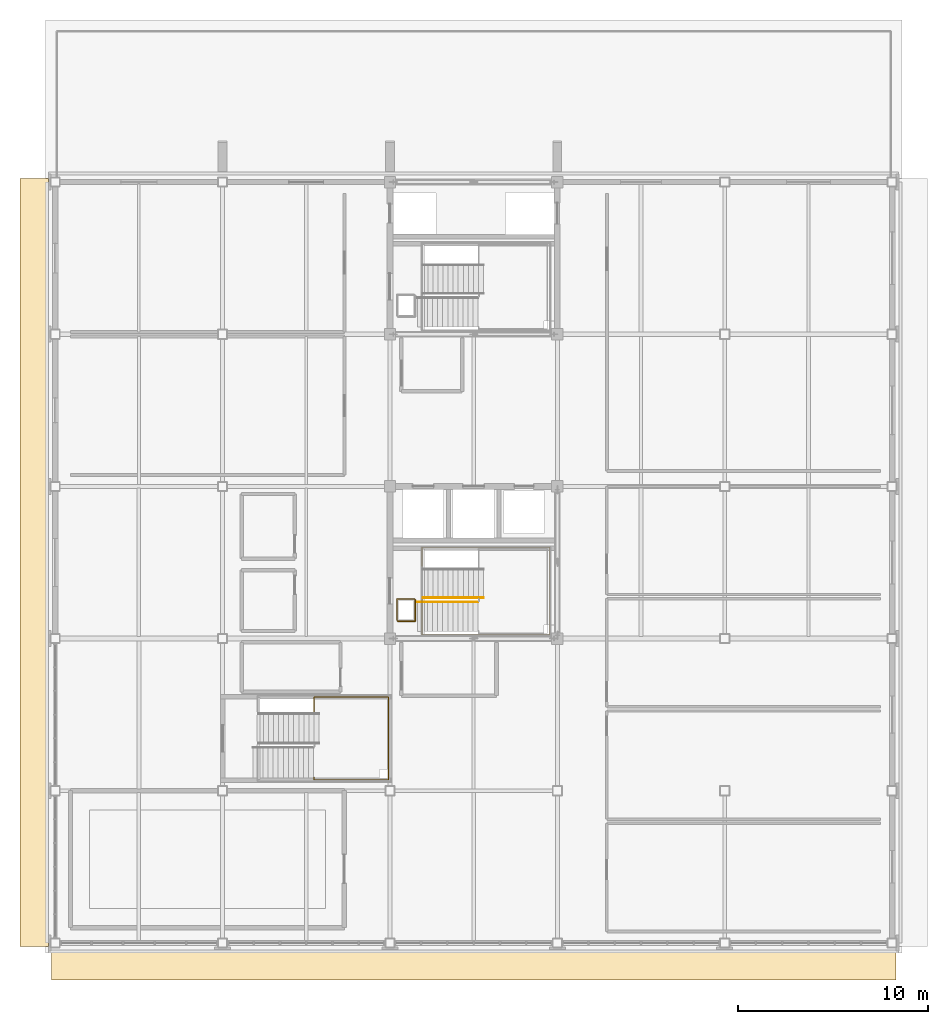
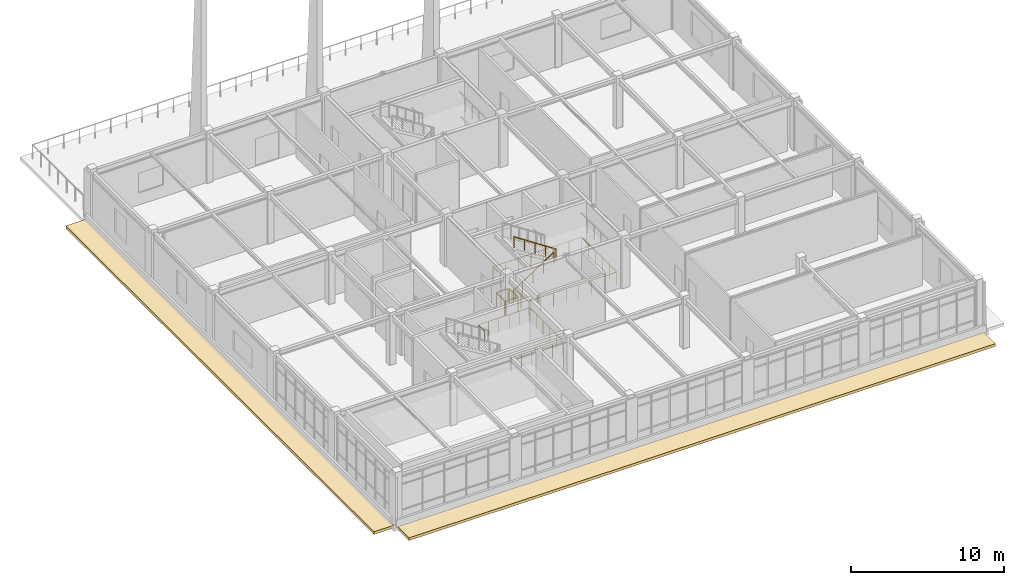
# One storey, part 18 of 22: 6 railings, 2 coverings.
"""IFC4 building model written with IfcOpenShell, lengths in metres."""

from ifc_helpers import new_model, si_unit, direction, frame, origin, origin_2d, place, context, subcontext, project, spatial, rectangle, circle, extrude, material, layer, layer_set, type_object, element, save


model = new_model("IFC4")

# Units and contexts
model_context = context("Model", 3, precision=1e-05, world=origin(), true_north=direction((0.0, 1.0)))
body_context = subcontext(model_context, "Body", "Model", "MODEL_VIEW")
ifc_project = project(units=[si_unit("LENGTHUNIT", "METRE"), si_unit("AREAUNIT", "SQUARE_METRE"), si_unit("VOLUMEUNIT", "CUBIC_METRE"), si_unit("PLANEANGLEUNIT", "RADIAN"), si_unit("MASSUNIT", "GRAM", prefix="KILO")], contexts=[model_context])

# Site, building, storey
site_placement = place(None, origin())
site = spatial("IfcSite", under=ifc_project, at=site_placement, CompositionType="ELEMENT")
building_placement = place(site_placement, origin())
building = spatial("IfcBuilding", under=site, at=building_placement, Name="Zhaolan Boulevard Law Courts", CompositionType="ELEMENT")
storey_placement = place(building_placement, frame((0.0, 0.0, 28.800048828125)))
storey = spatial("IfcBuildingStorey", under=building, at=storey_placement, Name="L06", CompositionType="ELEMENT", Elevation=28.800048828125)

# Coverings
ifc_material_1 = material(Name="Fair-faced architectural concrete C40", Category="concrete")
ifc_layer = layer(ifc_material_1, 0.219970703125)
ifc_layer_set = layer_set([ifc_layer])
covering_type = type_object("IfcCoveringType", Name="CONCRETE STORMHOOD 220", PredefinedType="CLADDING", material=ifc_layer_set)
covering_1_placement = place(storey_placement, frame((-1.10009765625, 50.0, -0.22021484375), z_axis=(0.0, 0.0, 1.0), x_axis=(1.0, 0.0, 0.0)))
element("IfcCovering", 1, at=covering_1_placement, inside=storey, type_object=covering_type, Name="Sculpted Concrete Typhoon Stormhood CSH-03", PredefinedType="CLADDING", context=body_context, shape_type="SweptSolid", body=[
    extrude(rectangle(XDim=1.5, YDim=40.39990234375, at=origin_2d()), origin(), (0.0, 0.0, 1.0), 0.219970703125),
])
covering_2_placement = place(storey_placement, frame((22.0, 28.800048828125, -0.22021484375), z_axis=(0.0, 0.0, 1.0), x_axis=(1.0, 0.0, 0.0)))
element("IfcCovering", 2, at=covering_2_placement, inside=storey, type_object=covering_type, Name="Sculpted Concrete Typhoon Stormhood CSH-06", PredefinedType="CLADDING", context=body_context, shape_type="SweptSolid", body=[
    extrude(rectangle(XDim=44.39990234375, YDim=1.5, at=origin_2d()), origin(), (0.0, 0.0, 1.0), 0.219970703125),
])

# Railings
ifc_material_2 = material(Name="Powder-coated steel and tempered laminated glass", Category="steel")
railing_type_1 = type_object("IfcRailingType", Name="INTERIOR GUARDRAIL 1150", PredefinedType="GUARDRAIL", material=ifc_material_2)
railing_1_placement = place(storey_placement, frame((18.010009765625, 46.919921875, 0.0)))
element("IfcRailing", 3, at=railing_1_placement, inside=storey, type_object=railing_type_1, Name="Atrium Gallery Guardrail VG-6-V5-9A", PredefinedType="GUARDRAIL", context=body_context, shape_type="SweptSolid", body=[
    extrude(circle(Radius=0.02490234375, at=origin_2d()), frame((0.0, 0.0, 1.125), z_axis=(1.0, 0.0, 0.0), x_axis=(0.0, 1.0, 0.0)), (0.0, 0.0, 1.0), 0.919921875),
    extrude(circle(Radius=0.02490234375, at=origin_2d()), frame((0.919921875, 0.0, 1.125), z_axis=(0.0, 1.0, 0.0), x_axis=(-1.0, 0.0, 0.0)), (0.0, 0.0, 1.0), 1.1201171875),
    extrude(circle(Radius=0.02099609375, at=origin_2d()), origin(), (0.0, 0.0, 1.0), 1.099853515625),
    extrude(circle(Radius=0.02099609375, at=origin_2d()), frame((0.919921875, 0.0, 0.0)), (0.0, 0.0, 1.0), 1.099853515625),
    extrude(circle(Radius=0.02099609375, at=origin_2d()), frame((0.919921875, 1.1201171875, 0.0)), (0.0, 0.0, 1.0), 1.099853515625),
])
railing_2_placement = place(storey_placement, frame((18.8701171875, 48.080078125, 0.0)))
element("IfcRailing", 4, at=railing_2_placement, inside=storey, type_object=railing_type_1, Name="Atrium Gallery Guardrail VG-6-V5-9B", PredefinedType="GUARDRAIL", context=body_context, shape_type="SweptSolid", body=[
    extrude(circle(Radius=0.02490234375, at=origin_2d()), frame((0.0, 0.0, 1.125), z_axis=(-1.0, 0.0, 0.0), x_axis=(0.0, -1.0, 0.0)), (0.0, 0.0, 1.0), 0.900146484375),
    extrude(circle(Radius=0.02490234375, at=origin_2d()), frame((-0.900146484375, 0.0, 1.125), z_axis=(0.0, -1.0, 0.0), x_axis=(1.0, 0.0, 0.0)), (0.0, 0.0, 1.0), 1.10009765625),
    extrude(circle(Radius=0.02099609375, at=origin_2d()), origin(), (0.0, 0.0, 1.0), 1.099853515625),
    extrude(circle(Radius=0.02099609375, at=origin_2d()), frame((-0.900146484375, 0.0, 0.0)), (0.0, 0.0, 1.0), 1.099853515625),
    extrude(circle(Radius=0.02099609375, at=origin_2d()), frame((-0.900146484375, -1.10009765625, 0.0)), (0.0, 0.0, 1.0), 1.099853515625),
])
ifc_material_3 = material(Name="Brushed stainless steel tubular handrail", Category="steel")
railing_type_2 = type_object("IfcRailingType", Name="STAIR HANDRAIL 900", PredefinedType="HANDRAIL", material=ifc_material_3)
railing_3_placement = place(storey_placement, frame((19.050048828125, 47.919921875, 0.0)))
element("IfcRailing", 5, at=railing_3_placement, inside=storey, type_object=railing_type_2, Name="Stair Handrail HR-ST01-L06-1", PredefinedType="HANDRAIL", context=body_context, shape_type="SweptSolid", body=[
    extrude(circle(Radius=0.0224609375, at=origin_2d()), frame((0.0, 0.0, 0.87744140625), z_axis=(0.834476838559, 0.0, 0.551043016387), x_axis=(0.0, 1.0, 0.0)), (0.0, 0.0, 1.0), 3.810791015625),
    extrude(circle(Radius=0.01904296875, at=origin_2d()), origin(), (0.0, 0.0, 1.0), 0.85498046875),
    extrude(circle(Radius=0.01904296875, at=origin_2d()), frame((0.794921875, 0.0, 0.52490234375)), (0.0, 0.0, 1.0), 0.85498046875),
    extrude(circle(Radius=0.01904296875, at=origin_2d()), frame((1.58984375, 0.0, 1.0498046875)), (0.0, 0.0, 1.0), 0.85498046875),
    extrude(circle(Radius=0.01904296875, at=origin_2d()), frame((2.385009765625, 0.0, 1.574951171875)), (0.0, 0.0, 1.0), 0.85498046875),
    extrude(circle(Radius=0.01904296875, at=origin_2d()), frame((3.179931640625, 0.0, 2.099853515625)), (0.0, 0.0, 1.0), 0.85498046875),
])
railing_4_placement = place(storey_placement, frame((22.514892578125, 48.139892578125, 2.099853515625)))
element("IfcRailing", 6, at=railing_4_placement, inside=storey, type_object=railing_type_2, Name="Stair Handrail HR-ST01-L06-2", PredefinedType="HANDRAIL", context=body_context, shape_type="SweptSolid", body=[
    extrude(circle(Radius=0.0224609375, at=origin_2d()), frame((0.0, 0.0, 0.87744140625), z_axis=(-0.834447378162, 0.0, 0.551087627405), x_axis=(0.0, -1.0, 0.0)), (0.0, 0.0, 1.0), 3.810791015625),
    extrude(circle(Radius=0.01904296875, at=origin_2d()), origin(), (0.0, 0.0, 1.0), 0.85498046875),
    extrude(circle(Radius=0.01904296875, at=origin_2d()), frame((-0.794921875, 0.0, 0.52490234375)), (0.0, 0.0, 1.0), 0.85498046875),
    extrude(circle(Radius=0.01904296875, at=origin_2d()), frame((-1.58984375, 0.0, 1.050048828125)), (0.0, 0.0, 1.0), 0.85498046875),
    extrude(circle(Radius=0.01904296875, at=origin_2d()), frame((-2.385009765625, 0.0, 1.5751953125)), (0.0, 0.0, 1.0), 0.85498046875),
    extrude(circle(Radius=0.01904296875, at=origin_2d()), frame((-3.179931640625, 0.0, 2.10009765625)), (0.0, 0.0, 1.0), 0.85498046875),
])
ifc_material_4 = material(Name="Powder-coated steel baluster guardrail", Category="steel")
railing_type_3 = type_object("IfcRailingType", Name="STAIR WELL GUARDRAIL 1120", PredefinedType="GUARDRAIL", material=ifc_material_4)
railing_5_placement = place(storey_placement, frame((19.2900390625, 48.050048828125, 0.0)))
element("IfcRailing", 7, at=railing_5_placement, inside=storey, type_object=railing_type_3, Name="Stair-Well Floor Guardrail WG-ST01-L05", PredefinedType="GUARDRAIL", context=body_context, shape_type="SweptSolid", body=[
    extrude(circle(Radius=0.02392578125, at=origin_2d()), frame((0.0, 0.0, 1.09619140625), z_axis=(0.0, -1.0, 0.0), x_axis=(1.0, 0.0, 0.0)), (0.0, 0.0, 1.0), 1.85009765625),
    extrude(circle(Radius=0.02392578125, at=origin_2d()), frame((0.0, -1.85009765625, 1.09619140625), z_axis=(1.0, 0.0, 0.0), x_axis=(0.0, 1.0, 0.0)), (0.0, 0.0, 1.0), 6.7099609375),
    extrude(circle(Radius=0.02392578125, at=origin_2d()), frame((6.7099609375, -1.85009765625, 1.09619140625), z_axis=(0.0, 1.0, 0.0), x_axis=(-1.0, 0.0, 0.0)), (0.0, 0.0, 1.0), 4.60009765625),
    extrude(circle(Radius=0.02392578125, at=origin_2d()), frame((6.7099609375, 2.75, 1.09619140625), z_axis=(-1.0, 0.0, 0.0), x_axis=(0.0, -1.0, 0.0)), (0.0, 0.0, 1.0), 6.7099609375),
    extrude(circle(Radius=0.02392578125, at=origin_2d()), frame((0.0, 2.75, 1.09619140625), z_axis=(0.0, -1.0, 0.0), x_axis=(1.0, 0.0, 0.0)), (0.0, 0.0, 1.0), 1.0),
    extrude(circle(Radius=0.02099609375, at=origin_2d()), origin(), (0.0, 0.0, 1.0), 1.072021484375),
    extrude(circle(Radius=0.02099609375, at=origin_2d()), frame((0.0, -0.925048828125, 0.0)), (0.0, 0.0, 1.0), 1.072021484375),
    extrude(circle(Radius=0.02099609375, at=origin_2d()), frame((0.0, -1.85009765625, 0.0)), (0.0, 0.0, 1.0), 1.072021484375),
    extrude(circle(Radius=0.02099609375, at=origin_2d()), frame((0.95849609375, -1.85009765625, 0.0)), (0.0, 0.0, 1.0), 1.072021484375),
    extrude(circle(Radius=0.02099609375, at=origin_2d()), frame((1.917236328125, -1.85009765625, 0.0)), (0.0, 0.0, 1.0), 1.072021484375),
    extrude(circle(Radius=0.02099609375, at=origin_2d()), frame((2.875732421875, -1.85009765625, 0.0)), (0.0, 0.0, 1.0), 1.072021484375),
    extrude(circle(Radius=0.02099609375, at=origin_2d()), frame((3.834228515625, -1.85009765625, 0.0)), (0.0, 0.0, 1.0), 1.072021484375),
    extrude(circle(Radius=0.02099609375, at=origin_2d()), frame((4.792724609375, -1.85009765625, 0.0)), (0.0, 0.0, 1.0), 1.072021484375),
    extrude(circle(Radius=0.02099609375, at=origin_2d()), frame((5.75146484375, -1.85009765625, 0.0)), (0.0, 0.0, 1.0), 1.072021484375),
    extrude(circle(Radius=0.02099609375, at=origin_2d()), frame((6.7099609375, -1.85009765625, 0.0)), (0.0, 0.0, 1.0), 1.072021484375),
    extrude(circle(Radius=0.02099609375, at=origin_2d()), frame((6.7099609375, -0.93017578125, 0.0)), (0.0, 0.0, 1.0), 1.072021484375),
    extrude(circle(Radius=0.02099609375, at=origin_2d()), frame((6.7099609375, -0.010009765625, 0.0)), (0.0, 0.0, 1.0), 1.072021484375),
    extrude(circle(Radius=0.02099609375, at=origin_2d()), frame((6.7099609375, 0.909912109375, 0.0)), (0.0, 0.0, 1.0), 1.072021484375),
    extrude(circle(Radius=0.02099609375, at=origin_2d()), frame((6.7099609375, 1.830078125, 0.0)), (0.0, 0.0, 1.0), 1.072021484375),
    extrude(circle(Radius=0.02099609375, at=origin_2d()), frame((6.7099609375, 2.75, 0.0)), (0.0, 0.0, 1.0), 1.072021484375),
    extrude(circle(Radius=0.02099609375, at=origin_2d()), frame((5.75146484375, 2.75, 0.0)), (0.0, 0.0, 1.0), 1.072021484375),
    extrude(circle(Radius=0.02099609375, at=origin_2d()), frame((4.792724609375, 2.75, 0.0)), (0.0, 0.0, 1.0), 1.072021484375),
    extrude(circle(Radius=0.02099609375, at=origin_2d()), frame((3.834228515625, 2.75, 0.0)), (0.0, 0.0, 1.0), 1.072021484375),
    extrude(circle(Radius=0.02099609375, at=origin_2d()), frame((2.875732421875, 2.75, 0.0)), (0.0, 0.0, 1.0), 1.072021484375),
    extrude(circle(Radius=0.02099609375, at=origin_2d()), frame((1.917236328125, 2.75, 0.0)), (0.0, 0.0, 1.0), 1.072021484375),
    extrude(circle(Radius=0.02099609375, at=origin_2d()), frame((0.95849609375, 2.75, 0.0)), (0.0, 0.0, 1.0), 1.072021484375),
    extrude(circle(Radius=0.02099609375, at=origin_2d()), frame((0.0, 2.75, 0.0)), (0.0, 0.0, 1.0), 1.072021484375),
    extrude(circle(Radius=0.02099609375, at=origin_2d()), frame((0.0, 1.75, 0.0)), (0.0, 0.0, 1.0), 1.072021484375),
])
railing_6_placement = place(storey_placement, frame((13.610107421875, 38.699951171875, 2.099853515625)))
element("IfcRailing", 8, at=railing_6_placement, inside=storey, type_object=railing_type_3, Name="Half-Landing Guardrail SG-ST03-L06-M", PredefinedType="GUARDRAIL", context=body_context, shape_type="SweptSolid", body=[
    extrude(circle(Radius=0.02392578125, at=origin_2d()), frame((0.0, 0.0, 1.09619140625), z_axis=(0.0, -1.0, 0.0), x_axis=(1.0, 0.0, 0.0)), (0.0, 0.0, 1.0), 0.119873046875),
    extrude(circle(Radius=0.02392578125, at=origin_2d()), frame((0.0, -0.119873046875, 1.09619140625), z_axis=(1.0, 0.0, 0.0), x_axis=(0.0, 1.0, 0.0)), (0.0, 0.0, 1.0), 3.909912109375),
    extrude(circle(Radius=0.02392578125, at=origin_2d()), frame((3.909912109375, -0.119873046875, 1.09619140625), z_axis=(0.0, 1.0, 0.0), x_axis=(-1.0, 0.0, 0.0)), (0.0, 0.0, 1.0), 4.33984375),
    extrude(circle(Radius=0.02392578125, at=origin_2d()), frame((3.909912109375, 4.219970703125, 1.09619140625), z_axis=(-1.0, 0.0, 0.0), x_axis=(0.0, -1.0, 0.0)), (0.0, 0.0, 1.0), 3.909912109375),
    extrude(circle(Radius=0.02392578125, at=origin_2d()), frame((0.0, 4.219970703125, 1.09619140625), z_axis=(0.0, -1.0, 0.0), x_axis=(1.0, 0.0, 0.0)), (0.0, 0.0, 1.0), 0.85986328125),
    extrude(circle(Radius=0.02099609375, at=origin_2d()), origin(), (0.0, 0.0, 1.0), 1.072021484375),
    extrude(circle(Radius=0.02099609375, at=origin_2d()), frame((0.0, -0.119873046875, 0.0)), (0.0, 0.0, 1.0), 1.072021484375),
    extrude(circle(Radius=0.02099609375, at=origin_2d()), frame((0.781982421875, -0.119873046875, 0.0)), (0.0, 0.0, 1.0), 1.072021484375),
    extrude(circle(Radius=0.02099609375, at=origin_2d()), frame((1.56396484375, -0.119873046875, 0.0)), (0.0, 0.0, 1.0), 1.072021484375),
    extrude(circle(Radius=0.02099609375, at=origin_2d()), frame((2.345947265625, -0.119873046875, 0.0)), (0.0, 0.0, 1.0), 1.072021484375),
    extrude(circle(Radius=0.02099609375, at=origin_2d()), frame((3.1279296875, -0.119873046875, 0.0)), (0.0, 0.0, 1.0), 1.072021484375),
    extrude(circle(Radius=0.02099609375, at=origin_2d()), frame((3.909912109375, -0.119873046875, 0.0)), (0.0, 0.0, 1.0), 1.072021484375),
    extrude(circle(Radius=0.02099609375, at=origin_2d()), frame((3.909912109375, 0.748046875, 0.0)), (0.0, 0.0, 1.0), 1.072021484375),
    extrude(circle(Radius=0.02099609375, at=origin_2d()), frame((3.909912109375, 1.615966796875, 0.0)), (0.0, 0.0, 1.0), 1.072021484375),
    extrude(circle(Radius=0.02099609375, at=origin_2d()), frame((3.909912109375, 2.484130859375, 0.0)), (0.0, 0.0, 1.0), 1.072021484375),
    extrude(circle(Radius=0.02099609375, at=origin_2d()), frame((3.909912109375, 3.35205078125, 0.0)), (0.0, 0.0, 1.0), 1.072021484375),
    extrude(circle(Radius=0.02099609375, at=origin_2d()), frame((3.909912109375, 4.219970703125, 0.0)), (0.0, 0.0, 1.0), 1.072021484375),
    extrude(circle(Radius=0.02099609375, at=origin_2d()), frame((3.1279296875, 4.219970703125, 0.0)), (0.0, 0.0, 1.0), 1.072021484375),
    extrude(circle(Radius=0.02099609375, at=origin_2d()), frame((2.345947265625, 4.219970703125, 0.0)), (0.0, 0.0, 1.0), 1.072021484375),
    extrude(circle(Radius=0.02099609375, at=origin_2d()), frame((1.56396484375, 4.219970703125, 0.0)), (0.0, 0.0, 1.0), 1.072021484375),
    extrude(circle(Radius=0.02099609375, at=origin_2d()), frame((0.781982421875, 4.219970703125, 0.0)), (0.0, 0.0, 1.0), 1.072021484375),
    extrude(circle(Radius=0.02099609375, at=origin_2d()), frame((0.0, 4.219970703125, 0.0)), (0.0, 0.0, 1.0), 1.072021484375),
    extrude(circle(Radius=0.02099609375, at=origin_2d()), frame((0.0, 3.360107421875, 0.0)), (0.0, 0.0, 1.0), 1.072021484375),
])

save(model, "model.ifc")
